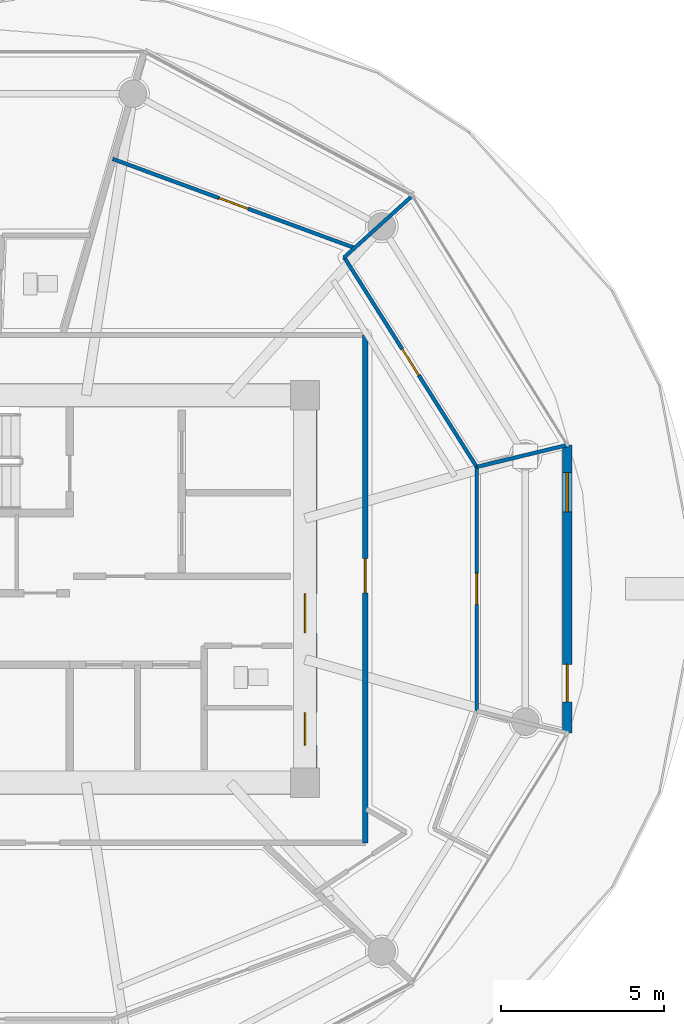
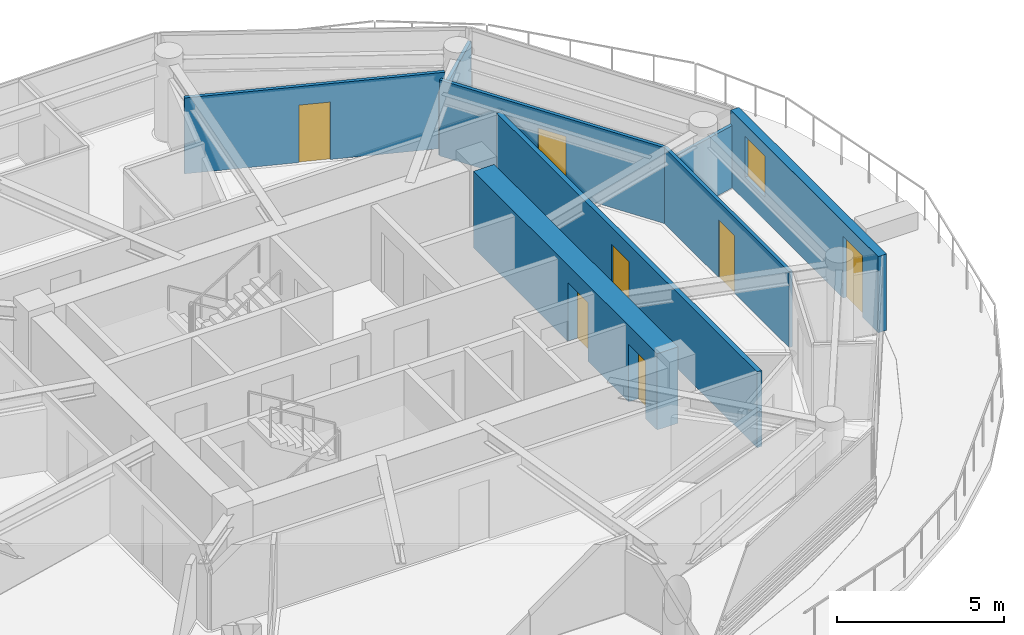
# One storey, part 20 of 32: 8 walls, 7 doors, 1 window, 8 openings.
"""IFC4 building model written with IfcOpenShell, lengths in metres."""

from ifc_helpers import new_model, si_unit, direction, frame, frame_2d, origin, place, context, subcontext, project, spatial, rectangle, extrude, source, transform, mapped, material, layer, layer_set, type_object, type_shapes, element, fill, save


model = new_model("IFC4")

# Units and contexts
model_context = context("Model", 3, precision=1e-05, world=origin(), true_north=direction((0.0, 1.0)))
body_context = subcontext(model_context, "Body", "Model", "MODEL_VIEW")
ifc_project = project(units=[si_unit("LENGTHUNIT", "METRE"), si_unit("AREAUNIT", "SQUARE_METRE"), si_unit("VOLUMEUNIT", "CUBIC_METRE"), si_unit("PLANEANGLEUNIT", "RADIAN"), si_unit("MASSUNIT", "GRAM", prefix="KILO")], contexts=[model_context])

# Site, building, storey
site_placement = place(None, origin())
site = spatial("IfcSite", under=ifc_project, at=site_placement, CompositionType="ELEMENT")
building_placement = place(site_placement, origin())
building = spatial("IfcBuilding", under=site, at=building_placement, Name="Norrkilde Senior Care Towers", CompositionType="ELEMENT")
storey_placement = place(building_placement, frame((0.0, 0.0, 77.949951171875)))
storey = spatial("IfcBuildingStorey", under=building, at=storey_placement, Name="L23", CompositionType="ELEMENT", Elevation=77.949951171875)

# Wall, openings, doors
ifc_material_1 = material(Name="Concrete C60/75", Category="concrete")
ifc_layer_1 = layer(ifc_material_1, 0.719970703125)
ifc_layer_set_1 = layer_set([ifc_layer_1], Name="Concrete C60/75")
wall_type_1 = type_object("IfcWallType", Name="Core Shear Wall Z2 720", PredefinedType="SHEAR", material=ifc_layer_set_1)
shared_shape_1 = source(origin(), body_context, "Body", "SweptSolid", [
    extrude(rectangle(XDim=11.0, YDim=0.719970703125, at=frame_2d((5.5, 0.0))), origin(), (0.0, 0.0, 1.0), 2.7900390625),
])
type_shapes(wall_type_1, [shared_shape_1])
wall_1_placement = place(storey_placement, frame((35.64990234375, 5.5, 0.0), z_axis=(0.0, 0.0, 1.0), x_axis=(0.0, -1.0, 0.0)))
wall_1 = element("IfcWall", 1, at=wall_1_placement, inside=storey, type_object=wall_type_1, Name="L23 Core E East Shear Wall", PredefinedType="SHEAR", context=body_context, shape_type="MappedRepresentation", body=[
    mapped(shared_shape_1, transform((0.0, 0.0, 0.0), x_axis=(1.0, 0.0, 0.0), y_axis=(0.0, 1.0, 0.0), z_axis=(0.0, 0.0, 1.0), scale=1.0)),
])
opening_1_placement = place(wall_1_placement, frame((5.64990234375, 0.0, 0.0)))
opening_1 = element("IfcOpeningElement", 2, at=opening_1_placement, cuts=wall_1, Name="Opening D-04", PredefinedType="OPENING", context=body_context, shape_type="SweptSolid", body=[
    extrude(rectangle(XDim=1.199951171875, YDim=2.14990234375, at=frame_2d((0.60009765625, 1.074951171875))), frame((0.0, 0.369873046875, 0.0), z_axis=(0.0, -1.0, 0.0), x_axis=(1.0, 0.0, 0.0)), (0.0, 0.0, 1.0), 0.739990234375),
])
opening_2_placement = place(wall_1_placement, frame((9.300048828125, 0.0, 0.0)))
opening_2 = element("IfcOpeningElement", 3, at=opening_2_placement, cuts=wall_1, Name="Opening D-10", PredefinedType="OPENING", context=body_context, shape_type="SweptSolid", body=[
    extrude(rectangle(XDim=1.0, YDim=2.10009765625, at=frame_2d((0.5, 1.050048828125))), frame((0.0, 0.369873046875, 0.0), z_axis=(0.0, -1.0, 0.0), x_axis=(1.0, 0.0, 0.0)), (0.0, 0.0, 1.0), 0.739990234375),
])
ifc_material_2 = material(Name="Galvanised Painted Steel", Category="steel")
door_type_1 = type_object("IfcDoorType", Name="Firefighting Lobby Fire Door 1200x2150", OperationType="NOTDEFINED", PredefinedType="DOOR", material=ifc_material_2)
shared_shape_2 = source(origin(), body_context, "Body", "SweptSolid", [
    extrude(rectangle(XDim=1.199951171875, YDim=2.14990234375, at=frame_2d((0.60009765625, 1.074951171875))), frame((0.0, 0.02490234375, 0.0), z_axis=(0.0, -1.0, 0.0), x_axis=(1.0, 0.0, 0.0)), (0.0, 0.0, 1.0), 0.050048828125),
])
type_shapes(door_type_1, [shared_shape_2])
door_1_placement = place(opening_1_placement, frame((1.199951171875, 0.0, 0.0), z_axis=(0.0, 0.0, 1.0), x_axis=(-1.0, 0.0, 0.0)))
door_1 = element("IfcDoor", 4, at=door_1_placement, inside=storey, type_object=door_type_1, Name="L23 Core E East Portal Door", OperationType="SINGLE_SWING_RIGHT", OverallHeight=2.14990234375, OverallWidth=1.199951171875, PredefinedType="DOOR", context=body_context, shape_type="MappedRepresentation", body=[
    mapped(shared_shape_2, transform((0.0, 0.0, 0.0), x_axis=(1.0, 0.0, 0.0), y_axis=(0.0, 1.0, 0.0), z_axis=(0.0, 0.0, 1.0), scale=1.0)),
])
fill(opening_1, door_1)
door_type_2 = type_object("IfcDoorType", Name="Plant and Riser Rated Door 1000x2100", OperationType="NOTDEFINED", PredefinedType="DOOR", material=ifc_material_2)
shared_shape_3 = source(origin(), body_context, "Body", "SweptSolid", [
    extrude(rectangle(XDim=1.0, YDim=2.10009765625, at=frame_2d((0.5, 1.050048828125))), frame((0.0, 0.02490234375, 0.0), z_axis=(0.0, -1.0, 0.0), x_axis=(1.0, 0.0, 0.0)), (0.0, 0.0, 1.0), 0.050048828125),
])
type_shapes(door_type_2, [shared_shape_3])
door_2_placement = place(opening_2_placement, frame((1.0, 0.0, 0.0), z_axis=(0.0, 0.0, 1.0), x_axis=(-1.0, 0.0, 0.0)))
door_2 = element("IfcDoor", 5, at=door_2_placement, inside=storey, type_object=door_type_2, Name="L23 Ventilation Riser E Door", OperationType="SINGLE_SWING_RIGHT", OverallHeight=2.10009765625, OverallWidth=1.0, PredefinedType="DOOR", context=body_context, shape_type="MappedRepresentation", body=[
    mapped(shared_shape_3, transform((0.0, 0.0, 0.0), x_axis=(1.0, 0.0, 0.0), y_axis=(0.0, 1.0, 0.0), z_axis=(0.0, 0.0, 1.0), scale=1.0)),
])
fill(opening_2, door_2)

# Wall, openings, door, window
ifc_material_3 = material(Name="Precast concrete C45/55", Category="concrete")
ifc_layer_2 = layer(ifc_material_3, 0.2900390625)
ifc_layer_set_2 = layer_set([ifc_layer_2], Name="Precast concrete C45/55")
wall_type_2 = type_object("IfcWallType", Name="Winter Garden Facade Wall 290", PredefinedType="SOLIDWALL", material=ifc_layer_set_2)
shared_shape_4 = source(origin(), body_context, "Body", "SweptSolid", [
    extrude(rectangle(XDim=8.84130859375, YDim=0.2900390625, at=frame_2d((4.420654296875, 0.0))), origin(), (0.0, 0.0, 1.0), 2.7900390625),
])
type_shapes(wall_type_2, [shared_shape_4])
wall_2_placement = place(storey_placement, frame((43.70361328125, 4.420654296875, 0.0), z_axis=(0.0, 0.0, 1.0), x_axis=(0.0, -1.0, 0.0)))
wall_2 = element("IfcWall", 6, at=wall_2_placement, inside=storey, type_object=wall_type_2, Name="L23 Drum E Balcony Access Wall 11", PredefinedType="SOLIDWALL", context=body_context, shape_type="MappedRepresentation", body=[
    mapped(shared_shape_4, transform((0.0, 0.0, 0.0), x_axis=(1.0, 0.0, 0.0), y_axis=(0.0, 1.0, 0.0), z_axis=(0.0, 0.0, 1.0), scale=1.0)),
])
opening_3_placement = place(wall_2_placement, frame((6.739990234375, 0.0, 0.0)))
opening_3 = element("IfcOpeningElement", 7, at=opening_3_placement, cuts=wall_2, Name="Opening D-09", PredefinedType="OPENING", context=body_context, shape_type="SweptSolid", body=[
    extrude(rectangle(XDim=1.14990234375, YDim=2.25, at=frame_2d((0.574951171875, 1.125))), frame((0.0, 0.155029296875, 0.0), z_axis=(0.0, -1.0, 0.0), x_axis=(1.0, 0.0, 0.0)), (0.0, 0.0, 1.0), 0.31005859375),
])
opening_4_placement = place(wall_2_placement, frame((0.85009765625, 0.0, 0.85009765625)))
opening_4 = element("IfcOpeningElement", 8, at=opening_4_placement, cuts=wall_2, Name="Opening WN-07", PredefinedType="OPENING", context=body_context, shape_type="SweptSolid", body=[
    extrude(rectangle(XDim=1.199951171875, YDim=1.5, at=frame_2d((0.60009765625, 0.75))), frame((0.0, 0.155029296875, 0.0), z_axis=(0.0, -1.0, 0.0), x_axis=(1.0, 0.0, 0.0)), (0.0, 0.0, 1.0), 0.31005859375),
])
ifc_material_4 = material(Name="Anodised Aluminium", Category="aluminium")
door_type_3 = type_object("IfcDoorType", Name="Terrace and Balcony Glazed Door 1150x2250", OperationType="NOTDEFINED", PredefinedType="DOOR", material=ifc_material_4)
shared_shape_5 = source(origin(), body_context, "Body", "SweptSolid", [
    extrude(rectangle(XDim=1.14990234375, YDim=2.25, at=frame_2d((0.574951171875, 1.125))), frame((0.0, 0.02490234375, 0.0), z_axis=(0.0, -1.0, 0.0), x_axis=(1.0, 0.0, 0.0)), (0.0, 0.0, 1.0), 0.050048828125),
])
type_shapes(door_type_3, [shared_shape_5])
door_3_placement = place(opening_3_placement, origin())
door_3 = element("IfcDoor", 9, at=door_3_placement, inside=storey, type_object=door_type_3, Name="L23 Drum E Outdoor Terrace Door 11", OperationType="SINGLE_SWING_RIGHT", OverallHeight=2.25, OverallWidth=1.14990234375, PredefinedType="DOOR", context=body_context, shape_type="MappedRepresentation", body=[
    mapped(shared_shape_5, transform((0.0, 0.0, 0.0), x_axis=(1.0, 0.0, 0.0), y_axis=(0.0, 1.0, 0.0), z_axis=(0.0, 0.0, 1.0), scale=1.0)),
])
fill(opening_3, door_3)
ifc_material_5 = material(Name="Triple Low-E Insulated Glazing", Category="glass")
window_type = type_object("IfcWindowType", Name="Stairwell Smoke Vent Window 1200x1500", PartitioningType="SINGLE_PANEL", PredefinedType="WINDOW", material=ifc_material_5)
shared_shape_6 = source(origin(), body_context, "Body", "SweptSolid", [
    extrude(rectangle(XDim=1.199951171875, YDim=1.5, at=frame_2d((0.60009765625, 0.75))), frame((0.0, 0.030029296875, 0.0), z_axis=(0.0, -1.0, 0.0), x_axis=(1.0, 0.0, 0.0)), (0.0, 0.0, 1.0), 0.06005859375),
])
type_shapes(window_type, [shared_shape_6])
window_placement = place(opening_4_placement, origin())
window = element("IfcWindow", 10, at=window_placement, inside=storey, type_object=window_type, Name="L23 Drum E Winter Garden Window 11", OverallHeight=1.5, OverallWidth=1.199951171875, PartitioningType="SINGLE_PANEL", PredefinedType="WINDOW", context=body_context, shape_type="MappedRepresentation", body=[
    mapped(shared_shape_6, transform((0.0, 0.0, 0.0), x_axis=(1.0, 0.0, 0.0), y_axis=(0.0, 1.0, 0.0), z_axis=(0.0, 0.0, 1.0), scale=1.0)),
])
fill(opening_4, window)

# Wall, opening, door
ifc_material_6 = material(Name="Gypsum Acoustic Board")
ifc_layer_3 = layer(ifc_material_6, 0.1650390625)
ifc_layer_set_3 = layer_set([ifc_layer_3], Name="Gypsum Acoustic Board")
wall_type_3 = type_object("IfcWallType", Name="Corridor Rated Partition 165", PredefinedType="PARTITIONING", material=ifc_layer_set_3)
shared_shape_7 = source(origin(), body_context, "Body", "SweptSolid", [
    extrude(rectangle(XDim=15.60009765625, YDim=0.1650390625, at=frame_2d((7.800048828125, 0.0))), origin(), (0.0, 0.0, 1.0), 2.775146484375),
])
type_shapes(wall_type_3, [shared_shape_7])
wall_3_placement = place(storey_placement, frame((37.5, 7.800048828125, 0.0), z_axis=(0.0, 0.0, 1.0), x_axis=(0.0, -1.0, 0.0)))
wall_3 = element("IfcWall", 11, at=wall_3_placement, inside=storey, type_object=wall_type_3, Name="WL-INT-L23-E-CRW-E-0", PredefinedType="PARTITIONING", context=body_context, shape_type="MappedRepresentation", body=[
    mapped(shared_shape_7, transform((0.0, 0.0, 0.0), x_axis=(1.0, 0.0, 0.0), y_axis=(0.0, 1.0, 0.0), z_axis=(0.0, 0.0, 1.0), scale=1.0)),
])
opening_5_placement = place(wall_3_placement, frame((6.86962890625, 0.0, 0.0)))
opening_5 = element("IfcOpeningElement", 12, at=opening_5_placement, cuts=wall_3, Name="Opening D-06", PredefinedType="OPENING", context=body_context, shape_type="SweptSolid", body=[
    extrude(rectangle(XDim=1.050048828125, YDim=2.14990234375, at=frame_2d((0.52490234375, 1.074951171875))), frame((0.0, 0.092529296875, 0.0), z_axis=(0.0, -1.0, 0.0), x_axis=(1.0, 0.0, 0.0)), (0.0, 0.0, 1.0), 0.18505859375),
])
ifc_material_7 = material(Name="Nordic Ash Timber", Category="wood")
door_type_4 = type_object("IfcDoorType", Name="Apartment Entrance Fire Door 1050x2150", OperationType="NOTDEFINED", PredefinedType="DOOR", material=ifc_material_7)
shared_shape_8 = source(origin(), body_context, "Body", "SweptSolid", [
    extrude(rectangle(XDim=1.050048828125, YDim=2.14990234375, at=frame_2d((0.52490234375, 1.074951171875))), frame((0.0, 0.02490234375, 0.0), z_axis=(0.0, -1.0, 0.0), x_axis=(1.0, 0.0, 0.0)), (0.0, 0.0, 1.0), 0.050048828125),
])
type_shapes(door_type_4, [shared_shape_8])
door_4_placement = place(opening_5_placement, frame((1.050048828125, 0.0, 0.0), z_axis=(0.0, 0.0, 1.0), x_axis=(-1.0, 0.0, 0.0)))
door_4 = element("IfcDoor", 13, at=door_4_placement, inside=storey, type_object=door_type_4, Name="Apartment 23B Entrance Door", OperationType="SINGLE_SWING_LEFT", OverallHeight=2.14990234375, OverallWidth=1.050048828125, PredefinedType="DOOR", context=body_context, shape_type="MappedRepresentation", body=[
    mapped(shared_shape_8, transform((0.0, 0.0, 0.0), x_axis=(1.0, 0.0, 0.0), y_axis=(0.0, 1.0, 0.0), z_axis=(0.0, 0.0, 1.0), scale=1.0)),
])
fill(opening_5, door_4)

ifc_layer_4 = layer(ifc_material_6, 0.114990234375)
ifc_layer_set_4 = layer_set([ifc_layer_4], Name="Gypsum Acoustic Board")
wall_type_4 = type_object("IfcWallType", Name="Internal Room Partition 115", PredefinedType="PARTITIONING", material=ifc_layer_set_4)
shared_shape_9 = source(origin(), body_context, "Body", "SweptSolid", [
    extrude(rectangle(XDim=7.91259765625, YDim=0.114990234375, at=frame_2d((3.956298828125, 0.0))), origin(), (0.0, 0.0, 1.0), 2.775146484375),
])
wall_4_placement = place(storey_placement, frame((37.164306640625, 10.4794921875, 0.0), z_axis=(0.0, 0.0, 1.0), x_axis=(-0.938495791702, 0.345290673141, 0.0)))
wall_4 = element("IfcWall", 14, at=wall_4_placement, inside=storey, type_object=wall_type_4, Name="WL-INT-L23-E-UBC-10-3", PredefinedType="PARTITIONING", context=body_context, shape_type="MappedRepresentation", body=[
    mapped(shared_shape_9, transform((0.0, 0.0, 0.0), x_axis=(1.0, 0.0, 0.0), y_axis=(0.0, 1.0, 0.0), z_axis=(0.0, 0.0, 1.0), scale=1.0)),
])
opening_6_placement = place(wall_4_placement, frame((3.481201171875, 0.0, 0.0)))
opening_6 = element("IfcOpeningElement", 15, at=opening_6_placement, cuts=wall_4, Name="Opening D-07", PredefinedType="OPENING", context=body_context, shape_type="SweptSolid", body=[
    extrude(rectangle(XDim=0.949951171875, YDim=2.10009765625, at=frame_2d((0.47509765625, 1.050048828125))), frame((0.0, 0.0673828125, 0.0), z_axis=(0.0, -1.0, 0.0), x_axis=(1.0, 0.0, 0.0)), (0.0, 0.0, 1.0), 0.135009765625),
])
door_type_5 = type_object("IfcDoorType", Name="Internal Suite Bedroom Door 950x2100", OperationType="NOTDEFINED", PredefinedType="DOOR", material=ifc_material_7)
shared_shape_10 = source(origin(), body_context, "Body", "SweptSolid", [
    extrude(rectangle(XDim=0.949951171875, YDim=2.10009765625, at=frame_2d((0.47509765625, 1.050048828125))), frame((0.0, 0.02490234375, 0.0), z_axis=(0.0, -1.0, 0.0), x_axis=(1.0, 0.0, 0.0)), (0.0, 0.0, 1.0), 0.050048828125),
])
type_shapes(door_type_5, [shared_shape_10])
door_5_placement = place(opening_6_placement, origin())
door_5 = element("IfcDoor", 16, at=door_5_placement, inside=storey, type_object=door_type_5, Name="Apartment 23B Bedroom 3 Door", OperationType="SINGLE_SWING_RIGHT", OverallHeight=2.10009765625, OverallWidth=0.949951171875, PredefinedType="DOOR", context=body_context, shape_type="MappedRepresentation", body=[
    mapped(shared_shape_10, transform((0.0, 0.0, 0.0), x_axis=(1.0, 0.0, 0.0), y_axis=(0.0, 1.0, 0.0), z_axis=(0.0, 0.0, 1.0), scale=1.0)),
])
fill(opening_6, door_5)

shared_shape_11 = source(origin(), body_context, "Body", "SweptSolid", [
    extrude(rectangle(XDim=7.4990234375, YDim=0.114990234375, at=frame_2d((3.74951171875, 0.0))), origin(), (0.0, 0.0, 1.0), 2.775146484375),
])
wall_5_placement = place(storey_placement, frame((40.9248046875, -3.74951171875, 0.0), z_axis=(0.0, 0.0, 1.0), x_axis=(0.0, 1.0, 0.0)))
wall_5 = element("IfcWall", 17, at=wall_5_placement, inside=storey, type_object=wall_type_4, Name="WL-INT-L23-E-UBC-10-1", PredefinedType="PARTITIONING", context=body_context, shape_type="MappedRepresentation", body=[
    mapped(shared_shape_11, transform((0.0, 0.0, 0.0), x_axis=(1.0, 0.0, 0.0), y_axis=(0.0, 1.0, 0.0), z_axis=(0.0, 0.0, 1.0), scale=1.0)),
])
opening_7_placement = place(wall_5_placement, frame((3.274658203125, 0.0, 0.0)))
opening_7 = element("IfcOpeningElement", 18, at=opening_7_placement, cuts=wall_5, Name="Opening D-07", PredefinedType="OPENING", context=body_context, shape_type="SweptSolid", body=[
    extrude(rectangle(XDim=0.949951171875, YDim=2.10009765625, at=frame_2d((0.47509765625, 1.050048828125))), frame((0.0, 0.0673828125, 0.0), z_axis=(0.0, -1.0, 0.0), x_axis=(1.0, 0.0, 0.0)), (0.0, 0.0, 1.0), 0.135009765625),
])
door_6_placement = place(opening_7_placement, origin())
door_6 = element("IfcDoor", 19, at=door_6_placement, inside=storey, type_object=door_type_5, Name="Apartment 23B Bedroom 1 Door", OperationType="SINGLE_SWING_RIGHT", OverallHeight=2.10009765625, OverallWidth=0.949951171875, PredefinedType="DOOR", context=body_context, shape_type="MappedRepresentation", body=[
    mapped(shared_shape_10, transform((0.0, 0.0, 0.0), x_axis=(1.0, 0.0, 0.0), y_axis=(0.0, 1.0, 0.0), z_axis=(0.0, 0.0, 1.0), scale=1.0)),
])
fill(opening_7, door_6)

shared_shape_12 = source(origin(), body_context, "Body", "SweptSolid", [
    extrude(rectangle(XDim=7.617919921875, YDim=0.114990234375, at=frame_2d((3.80908203125, 0.0))), origin(), (0.0, 0.0, 1.0), 2.775146484375),
])
wall_6_placement = place(storey_placement, frame((40.923095703125, 3.749267578125, 0.0), z_axis=(0.0, 0.0, 1.0), x_axis=(-0.534316104929, 0.845284744931, 0.0)))
wall_6 = element("IfcWall", 20, at=wall_6_placement, inside=storey, type_object=wall_type_4, Name="WL-INT-L23-E-UBC-10-2", PredefinedType="PARTITIONING", context=body_context, shape_type="MappedRepresentation", body=[
    mapped(shared_shape_12, transform((0.0, 0.0, 0.0), x_axis=(1.0, 0.0, 0.0), y_axis=(0.0, 1.0, 0.0), z_axis=(0.0, 0.0, 1.0), scale=1.0)),
])
opening_8_placement = place(wall_6_placement, frame((3.333984375, 0.0, 0.0)))
opening_8 = element("IfcOpeningElement", 21, at=opening_8_placement, cuts=wall_6, Name="Opening D-07", PredefinedType="OPENING", context=body_context, shape_type="SweptSolid", body=[
    extrude(rectangle(XDim=0.949951171875, YDim=2.10009765625, at=frame_2d((0.47509765625, 1.050048828125))), frame((0.0, 0.0673828125, 0.0), z_axis=(0.0, -1.0, 0.0), x_axis=(1.0, 0.0, 0.0)), (0.0, 0.0, 1.0), 0.135009765625),
])
door_7_placement = place(opening_8_placement, frame((0.949951171875, 0.0, 0.0), z_axis=(0.0, 0.0, 1.0), x_axis=(-1.0, 0.0, 0.0)))
door_7 = element("IfcDoor", 22, at=door_7_placement, inside=storey, type_object=door_type_5, Name="Apartment 23B Bedroom 2 Door", OperationType="SINGLE_SWING_LEFT", OverallHeight=2.10009765625, OverallWidth=0.949951171875, PredefinedType="DOOR", context=body_context, shape_type="MappedRepresentation", body=[
    mapped(shared_shape_10, transform((0.0, 0.0, 0.0), x_axis=(1.0, 0.0, 0.0), y_axis=(0.0, 1.0, 0.0), z_axis=(0.0, 0.0, 1.0), scale=1.0)),
])
fill(opening_8, door_7)

# Walls
shared_shape_13 = source(origin(), body_context, "Body", "SweptSolid", [
    extrude(rectangle(XDim=2.880615234375, YDim=0.114990234375, at=frame_2d((1.4404296875, 0.0))), origin(), (0.0, 0.0, 1.0), 2.275146484375),
])
wall_7_placement = place(storey_placement, frame((40.923095703125, 3.749267578125, 0.0), z_axis=(0.0, 0.0, 1.0), x_axis=(0.972031524605, 0.234850410208, 0.0)))
element("IfcWall", 23, at=wall_7_placement, inside=storey, type_object=wall_type_4, Name="WL-INT-L23-E-UBR-10-2", PredefinedType="PARTITIONING", context=body_context, shape_type="MappedRepresentation", body=[
    mapped(shared_shape_13, transform((0.0, 0.0, 0.0), x_axis=(1.0, 0.0, 0.0), y_axis=(0.0, 1.0, 0.0), z_axis=(0.0, 0.0, 1.0), scale=1.0)),
])
shared_shape_14 = source(origin(), body_context, "Body", "SweptSolid", [
    extrude(rectangle(XDim=2.8515625, YDim=0.114990234375, at=frame_2d((1.42578125, 0.0))), origin(), (0.0, 0.0, 1.0), 2.275146484375),
])
type_shapes(wall_type_4, [shared_shape_9, shared_shape_11, shared_shape_12, shared_shape_13, shared_shape_14])
wall_8_placement = place(storey_placement, frame((36.84423828125, 10.180419921875, 0.0), z_axis=(0.0, 0.0, 1.0), x_axis=(0.742190556634, 0.670188911908, 0.0)))
element("IfcWall", 24, at=wall_8_placement, inside=storey, type_object=wall_type_4, Name="WL-INT-L23-E-UBR-10-3", PredefinedType="PARTITIONING", context=body_context, shape_type="MappedRepresentation", body=[
    mapped(shared_shape_14, transform((0.0, 0.0, 0.0), x_axis=(1.0, 0.0, 0.0), y_axis=(0.0, 1.0, 0.0), z_axis=(0.0, 0.0, 1.0), scale=1.0)),
])

save(model, "model.ifc")
